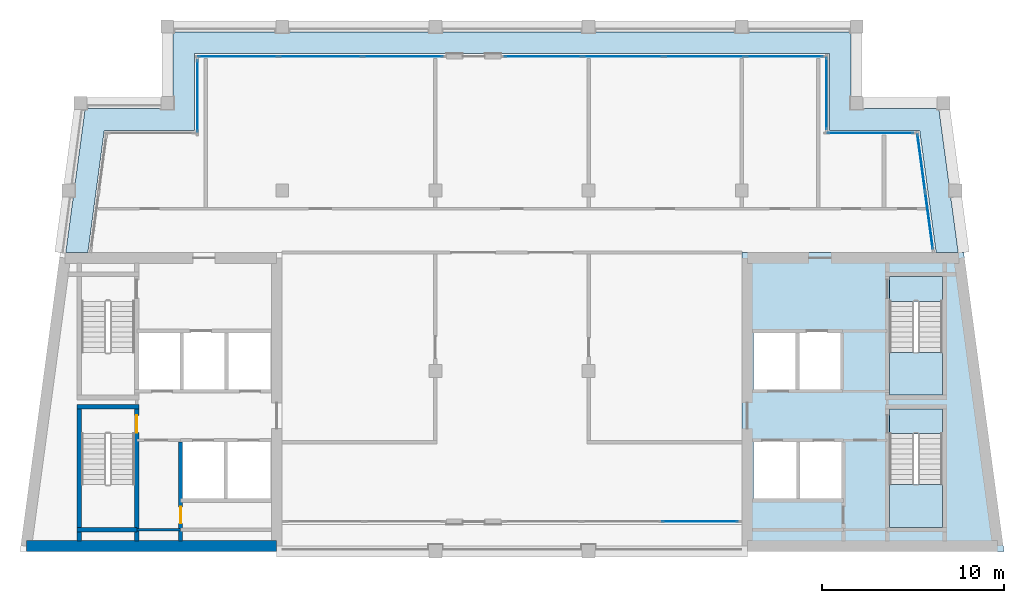
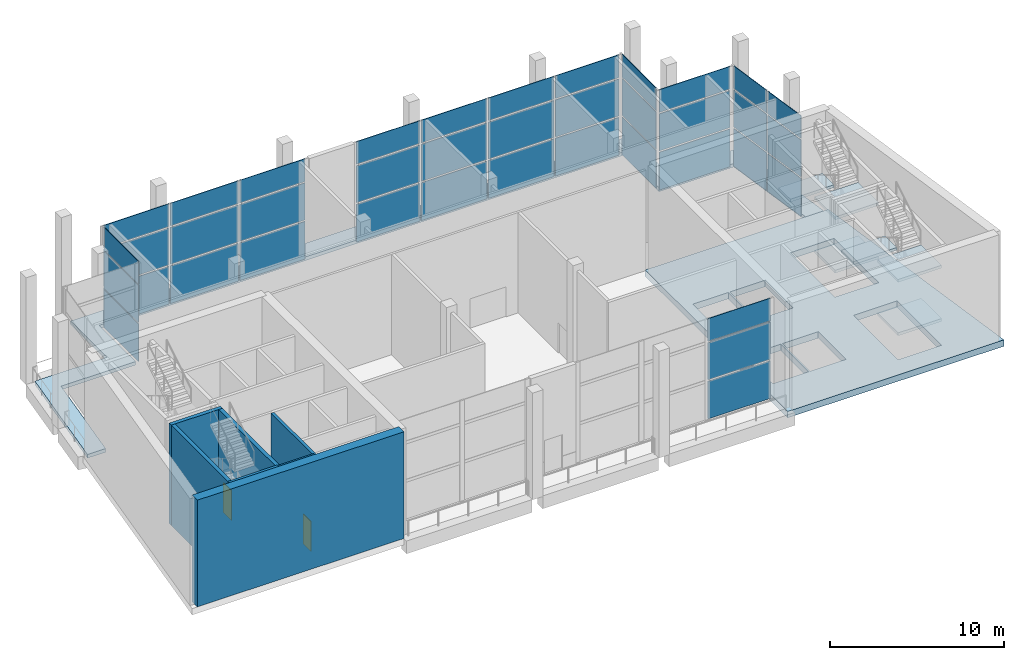
# One storey, part 3 of 9: 39 plates, 8 slabs, 7 walls, 2 doors, 2 openings, 9 elements without a shape of their own.
"""IFC4 building model written with IfcOpenShell, lengths in metres."""

from ifc_helpers import new_model, si_unit, direction, frame, frame_2d, origin, origin_2d, place, context, subcontext, project, spatial, polyline, rectangle, outline, extrude, material, layer, layer_set, type_object, element, fill, aggregate, save


model = new_model("IFC4")

# Units and contexts
model_context = context("Model", 3, precision=1e-05, world=origin(), true_north=direction((0.0, 1.0)))
body_context = subcontext(model_context, "Body", "Model", "MODEL_VIEW")
ifc_project = project(units=[si_unit("LENGTHUNIT", "METRE"), si_unit("AREAUNIT", "SQUARE_METRE"), si_unit("VOLUMEUNIT", "CUBIC_METRE"), si_unit("PLANEANGLEUNIT", "RADIAN"), si_unit("MASSUNIT", "GRAM", prefix="KILO")], contexts=[model_context])

# Site, building, storey
site_placement = place(None, origin())
site = spatial("IfcSite", under=ifc_project, at=site_placement, CompositionType="ELEMENT")
building_placement = place(site_placement, origin())
building = spatial("IfcBuilding", under=site, at=building_placement, Name="Candeia Pilgrim Tower and Theatre", CompositionType="ELEMENT")
storey_placement = place(building_placement, frame((0.0, 0.0, 307.89990234375)))
storey = spatial("IfcBuildingStorey", under=building, at=storey_placement, Name="L75", CompositionType="ELEMENT", Elevation=307.89990234375)

# Curtain wall, plates
ifc_material_1 = material(Name="Aluminium framed observation glazing", Category="aluminium")
curtain_wall_type = type_object("IfcCurtainWallType", Name="CW-C curtain wall", PredefinedType="NOTDEFINED", material=ifc_material_1)
curtain_wall_1_placement = place(storey_placement, origin())
curtain_wall_1 = element("IfcCurtainWall", 1, at=curtain_wall_1_placement, inside=storey, type_object=curtain_wall_type, Name="Curtain wall CW-C L75.102", PredefinedType="NOTDEFINED")
ifc_material_2 = material(Name="Laminated heat-soaked glass 2 x 10 mm", Category="glass")
ifc_layer_1 = layer(ifc_material_2, 0.0400390625)
ifc_layer_set_1 = layer_set([ifc_layer_1], Name="CW-C glass panel 40")
plate_type = type_object("IfcPlateType", Name="CW-C glass panel 40", PredefinedType="CURTAIN_PANEL", material=ifc_layer_set_1)
plate_1_placement = place(storey_placement, frame((123.719970703125, 117.64990234375, 0.000244140625), z_axis=(0.0, 0.0, 1.0), x_axis=(1.0, 0.0, 0.0)))
plate_1 = element("IfcPlate", 2, at=plate_1_placement, type_object=plate_type, Name="CW-C panel 3.1", PredefinedType="CURTAIN_PANEL", context=body_context, shape_type="SweptSolid", body=[
    extrude(rectangle(XDim=4.139892578125, YDim=0.0400390625, at=origin_2d()), origin(), (0.0, 0.0, 1.0), 2.64990234375),
])
plate_2_placement = place(storey_placement, frame((123.719970703125, 117.64990234375, 2.75), z_axis=(0.0, 0.0, 1.0), x_axis=(1.0, 0.0, 0.0)))
plate_2 = element("IfcPlate", 3, at=plate_2_placement, type_object=plate_type, Name="CW-C panel 3.2", PredefinedType="CURTAIN_PANEL", context=body_context, shape_type="SweptSolid", body=[
    extrude(rectangle(XDim=4.139892578125, YDim=0.0400390625, at=origin_2d()), origin(), (0.0, 0.0, 1.0), 2.60009765625),
])
plate_3_placement = place(storey_placement, frame((123.719970703125, 117.64990234375, 5.449951171875), z_axis=(0.0, 0.0, 1.0), x_axis=(1.0, 0.0, 0.0)))
plate_3 = element("IfcPlate", 4, at=plate_3_placement, type_object=plate_type, Name="CW-C panel 3.3", PredefinedType="CURTAIN_PANEL", context=body_context, shape_type="SweptSolid", body=[
    extrude(rectangle(XDim=4.139892578125, YDim=0.0400390625, at=origin_2d()), origin(), (0.0, 0.0, 1.0), 1.60009765625),
])
aggregate(curtain_wall_1, [plate_1, plate_2, plate_3])

curtain_wall_2_placement = place(storey_placement, origin())
curtain_wall_2 = element("IfcCurtainWall", 5, at=curtain_wall_2_placement, inside=storey, type_object=curtain_wall_type, Name="Curtain wall CW-C L75.200", PredefinedType="NOTDEFINED")
plate_4_placement = place(storey_placement, frame((136.268798828125, 134.149169921875, 0.000244140625), z_axis=(0.0, 0.0, 1.0), x_axis=(-0.133412012145, 0.991060661622, 0.0)))
plate_4 = element("IfcPlate", 6, at=plate_4_placement, type_object=plate_type, Name="CW-C panel 1.1", PredefinedType="CURTAIN_PANEL", context=body_context, shape_type="SweptSolid", body=[
    extrude(rectangle(XDim=3.110107421875, YDim=0.0400390625, at=origin_2d()), origin(), (0.0, 0.0, 1.0), 2.64990234375),
])
plate_5_placement = place(storey_placement, frame((136.268798828125, 134.149169921875, 2.75), z_axis=(0.0, 0.0, 1.0), x_axis=(-0.133412012145, 0.991060661622, 0.0)))
plate_5 = element("IfcPlate", 7, at=plate_5_placement, type_object=plate_type, Name="CW-C panel 1.2", PredefinedType="CURTAIN_PANEL", context=body_context, shape_type="SweptSolid", body=[
    extrude(rectangle(XDim=3.110107421875, YDim=0.0400390625, at=origin_2d()), origin(), (0.0, 0.0, 1.0), 2.60009765625),
])
plate_6_placement = place(storey_placement, frame((136.268798828125, 134.149169921875, 5.449951171875), z_axis=(0.0, 0.0, 1.0), x_axis=(-0.133412012145, 0.991060661622, 0.0)))
plate_6 = element("IfcPlate", 8, at=plate_6_placement, type_object=plate_type, Name="CW-C panel 1.3", PredefinedType="CURTAIN_PANEL", context=body_context, shape_type="SweptSolid", body=[
    extrude(rectangle(XDim=3.110107421875, YDim=0.0400390625, at=origin_2d()), origin(), (0.0, 0.0, 1.0), 1.60009765625),
])
plate_7_placement = place(storey_placement, frame((135.840576171875, 137.330810546875, 0.000244140625), z_axis=(0.0, 0.0, 1.0), x_axis=(-0.133412012145, 0.991060661622, 0.0)))
plate_7 = element("IfcPlate", 9, at=plate_7_placement, type_object=plate_type, Name="CW-C panel 2.1", PredefinedType="CURTAIN_PANEL", context=body_context, shape_type="SweptSolid", body=[
    extrude(rectangle(XDim=3.110107421875, YDim=0.0400390625, at=origin_2d()), origin(), (0.0, 0.0, 1.0), 2.64990234375),
])
plate_8_placement = place(storey_placement, frame((135.840576171875, 137.330810546875, 2.75), z_axis=(0.0, 0.0, 1.0), x_axis=(-0.133412012145, 0.991060661622, 0.0)))
plate_8 = element("IfcPlate", 10, at=plate_8_placement, type_object=plate_type, Name="CW-C panel 2.2", PredefinedType="CURTAIN_PANEL", context=body_context, shape_type="SweptSolid", body=[
    extrude(rectangle(XDim=3.110107421875, YDim=0.0400390625, at=origin_2d()), origin(), (0.0, 0.0, 1.0), 2.60009765625),
])
plate_9_placement = place(storey_placement, frame((135.840576171875, 137.330810546875, 5.449951171875), z_axis=(0.0, 0.0, 1.0), x_axis=(-0.133412012145, 0.991060661622, 0.0)))
plate_9 = element("IfcPlate", 11, at=plate_9_placement, type_object=plate_type, Name="CW-C panel 2.3", PredefinedType="CURTAIN_PANEL", context=body_context, shape_type="SweptSolid", body=[
    extrude(rectangle(XDim=3.110107421875, YDim=0.0400390625, at=origin_2d()), origin(), (0.0, 0.0, 1.0), 1.60009765625),
])
aggregate(curtain_wall_2, [plate_4, plate_5, plate_6, plate_7, plate_8, plate_9])

curtain_wall_3_placement = place(storey_placement, origin())
curtain_wall_3 = element("IfcCurtainWall", 12, at=curtain_wall_3_placement, inside=storey, type_object=curtain_wall_type, Name="Curtain wall CW-C L75.300", PredefinedType="NOTDEFINED")
plate_10_placement = place(storey_placement, frame((133.061279296875, 138.949951171875, 0.000244140625), z_axis=(0.0, 0.0, 1.0), x_axis=(-1.0, 0.0, 0.0)))
plate_10 = element("IfcPlate", 13, at=plate_10_placement, type_object=plate_type, Name="CW-C panel 1.1", PredefinedType="CURTAIN_PANEL", context=body_context, shape_type="SweptSolid", body=[
    extrude(rectangle(XDim=4.70263671875, YDim=0.0400390625, at=origin_2d()), origin(), (0.0, 0.0, 1.0), 2.64990234375),
])
plate_11_placement = place(storey_placement, frame((133.061279296875, 138.949951171875, 2.75), z_axis=(0.0, 0.0, 1.0), x_axis=(-1.0, 0.0, 0.0)))
plate_11 = element("IfcPlate", 14, at=plate_11_placement, type_object=plate_type, Name="CW-C panel 1.2", PredefinedType="CURTAIN_PANEL", context=body_context, shape_type="SweptSolid", body=[
    extrude(rectangle(XDim=4.70263671875, YDim=0.0400390625, at=origin_2d()), origin(), (0.0, 0.0, 1.0), 2.60009765625),
])
plate_12_placement = place(storey_placement, frame((133.061279296875, 138.949951171875, 5.449951171875), z_axis=(0.0, 0.0, 1.0), x_axis=(-1.0, 0.0, 0.0)))
plate_12 = element("IfcPlate", 15, at=plate_12_placement, type_object=plate_type, Name="CW-C panel 1.3", PredefinedType="CURTAIN_PANEL", context=body_context, shape_type="SweptSolid", body=[
    extrude(rectangle(XDim=4.70263671875, YDim=0.0400390625, at=origin_2d()), origin(), (0.0, 0.0, 1.0), 1.60009765625),
])
aggregate(curtain_wall_3, [plate_10, plate_11, plate_12])

curtain_wall_4_placement = place(storey_placement, origin())
curtain_wall_4 = element("IfcCurtainWall", 16, at=curtain_wall_4_placement, inside=storey, type_object=curtain_wall_type, Name="Curtain wall CW-C L75.400", PredefinedType="NOTDEFINED")
plate_13_placement = place(storey_placement, frame((130.64990234375, 141.125, 0.000244140625), z_axis=(0.0, 0.0, 1.0), x_axis=(0.0, 1.0, 0.0)))
plate_13 = element("IfcPlate", 17, at=plate_13_placement, type_object=plate_type, Name="CW-C panel 1.1", PredefinedType="CURTAIN_PANEL", context=body_context, shape_type="SweptSolid", body=[
    extrude(rectangle(XDim=3.929931640625, YDim=0.0400390625, at=origin_2d()), origin(), (0.0, 0.0, 1.0), 2.64990234375),
])
plate_14_placement = place(storey_placement, frame((130.64990234375, 141.125, 2.75), z_axis=(0.0, 0.0, 1.0), x_axis=(0.0, 1.0, 0.0)))
plate_14 = element("IfcPlate", 18, at=plate_14_placement, type_object=plate_type, Name="CW-C panel 1.2", PredefinedType="CURTAIN_PANEL", context=body_context, shape_type="SweptSolid", body=[
    extrude(rectangle(XDim=3.929931640625, YDim=0.0400390625, at=origin_2d()), origin(), (0.0, 0.0, 1.0), 2.60009765625),
])
plate_15_placement = place(storey_placement, frame((130.64990234375, 141.125, 5.449951171875), z_axis=(0.0, 0.0, 1.0), x_axis=(0.0, 1.0, 0.0)))
plate_15 = element("IfcPlate", 19, at=plate_15_placement, type_object=plate_type, Name="CW-C panel 1.3", PredefinedType="CURTAIN_PANEL", context=body_context, shape_type="SweptSolid", body=[
    extrude(rectangle(XDim=3.929931640625, YDim=0.0400390625, at=origin_2d()), origin(), (0.0, 0.0, 1.0), 1.60009765625),
])
aggregate(curtain_wall_4, [plate_13, plate_14, plate_15])

curtain_wall_5_placement = place(storey_placement, origin())
curtain_wall_5 = element("IfcCurtainWall", 20, at=curtain_wall_5_placement, inside=storey, type_object=curtain_wall_type, Name="Curtain wall CW-C L75.500", PredefinedType="NOTDEFINED")
plate_16_placement = place(storey_placement, frame((128.3388671875, 143.14990234375, 0.000244140625), z_axis=(0.0, 0.0, 1.0), x_axis=(-1.0, 0.0, 0.0)))
plate_16 = element("IfcPlate", 21, at=plate_16_placement, type_object=plate_type, Name="CW-C panel 1.1", PredefinedType="CURTAIN_PANEL", context=body_context, shape_type="SweptSolid", body=[
    extrude(rectangle(XDim=4.202392578125, YDim=0.0400390625, at=origin_2d()), origin(), (0.0, 0.0, 1.0), 2.64990234375),
])
plate_17_placement = place(storey_placement, frame((128.3388671875, 143.14990234375, 2.75), z_axis=(0.0, 0.0, 1.0), x_axis=(-1.0, 0.0, 0.0)))
plate_17 = element("IfcPlate", 22, at=plate_17_placement, type_object=plate_type, Name="CW-C panel 1.2", PredefinedType="CURTAIN_PANEL", context=body_context, shape_type="SweptSolid", body=[
    extrude(rectangle(XDim=4.202392578125, YDim=0.0400390625, at=origin_2d()), origin(), (0.0, 0.0, 1.0), 2.60009765625),
])
plate_18_placement = place(storey_placement, frame((128.3388671875, 143.14990234375, 5.449951171875), z_axis=(0.0, 0.0, 1.0), x_axis=(-1.0, 0.0, 0.0)))
plate_18 = element("IfcPlate", 23, at=plate_18_placement, type_object=plate_type, Name="CW-C panel 1.3", PredefinedType="CURTAIN_PANEL", context=body_context, shape_type="SweptSolid", body=[
    extrude(rectangle(XDim=4.202392578125, YDim=0.0400390625, at=origin_2d()), origin(), (0.0, 0.0, 1.0), 1.60009765625),
])
plate_19_placement = place(storey_placement, frame((123.956298828125, 143.14990234375, 0.000244140625), z_axis=(0.0, 0.0, 1.0), x_axis=(-1.0, 0.0, 0.0)))
plate_19 = element("IfcPlate", 24, at=plate_19_placement, type_object=plate_type, Name="CW-C panel 2.1", PredefinedType="CURTAIN_PANEL", context=body_context, shape_type="SweptSolid", body=[
    extrude(rectangle(XDim=4.362548828125, YDim=0.0400390625, at=origin_2d()), origin(), (0.0, 0.0, 1.0), 2.64990234375),
])
plate_20_placement = place(storey_placement, frame((123.956298828125, 143.14990234375, 2.75), z_axis=(0.0, 0.0, 1.0), x_axis=(-1.0, 0.0, 0.0)))
plate_20 = element("IfcPlate", 25, at=plate_20_placement, type_object=plate_type, Name="CW-C panel 2.2", PredefinedType="CURTAIN_PANEL", context=body_context, shape_type="SweptSolid", body=[
    extrude(rectangle(XDim=4.362548828125, YDim=0.0400390625, at=origin_2d()), origin(), (0.0, 0.0, 1.0), 2.60009765625),
])
plate_21_placement = place(storey_placement, frame((123.956298828125, 143.14990234375, 5.449951171875), z_axis=(0.0, 0.0, 1.0), x_axis=(-1.0, 0.0, 0.0)))
plate_21 = element("IfcPlate", 26, at=plate_21_placement, type_object=plate_type, Name="CW-C panel 2.3", PredefinedType="CURTAIN_PANEL", context=body_context, shape_type="SweptSolid", body=[
    extrude(rectangle(XDim=4.362548828125, YDim=0.0400390625, at=origin_2d()), origin(), (0.0, 0.0, 1.0), 1.60009765625),
])
plate_22_placement = place(storey_placement, frame((119.49365234375, 143.14990234375, 0.000244140625), z_axis=(0.0, 0.0, 1.0), x_axis=(-1.0, 0.0, 0.0)))
plate_22 = element("IfcPlate", 27, at=plate_22_placement, type_object=plate_type, Name="CW-C panel 3.1", PredefinedType="CURTAIN_PANEL", context=body_context, shape_type="SweptSolid", body=[
    extrude(rectangle(XDim=4.362548828125, YDim=0.0400390625, at=origin_2d()), origin(), (0.0, 0.0, 1.0), 2.64990234375),
])
plate_23_placement = place(storey_placement, frame((119.49365234375, 143.14990234375, 2.75), z_axis=(0.0, 0.0, 1.0), x_axis=(-1.0, 0.0, 0.0)))
plate_23 = element("IfcPlate", 28, at=plate_23_placement, type_object=plate_type, Name="CW-C panel 3.2", PredefinedType="CURTAIN_PANEL", context=body_context, shape_type="SweptSolid", body=[
    extrude(rectangle(XDim=4.362548828125, YDim=0.0400390625, at=origin_2d()), origin(), (0.0, 0.0, 1.0), 2.60009765625),
])
plate_24_placement = place(storey_placement, frame((119.49365234375, 143.14990234375, 5.449951171875), z_axis=(0.0, 0.0, 1.0), x_axis=(-1.0, 0.0, 0.0)))
plate_24 = element("IfcPlate", 29, at=plate_24_placement, type_object=plate_type, Name="CW-C panel 3.3", PredefinedType="CURTAIN_PANEL", context=body_context, shape_type="SweptSolid", body=[
    extrude(rectangle(XDim=4.362548828125, YDim=0.0400390625, at=origin_2d()), origin(), (0.0, 0.0, 1.0), 1.60009765625),
])
plate_25_placement = place(storey_placement, frame((115.111328125, 143.14990234375, 0.000244140625), z_axis=(0.0, 0.0, 1.0), x_axis=(-1.0, 0.0, 0.0)))
plate_25 = element("IfcPlate", 30, at=plate_25_placement, type_object=plate_type, Name="CW-C panel 4.1", PredefinedType="CURTAIN_PANEL", context=body_context, shape_type="SweptSolid", body=[
    extrude(rectangle(XDim=4.202392578125, YDim=0.0400390625, at=origin_2d()), origin(), (0.0, 0.0, 1.0), 2.64990234375),
])
plate_26_placement = place(storey_placement, frame((115.111328125, 143.14990234375, 2.75), z_axis=(0.0, 0.0, 1.0), x_axis=(-1.0, 0.0, 0.0)))
plate_26 = element("IfcPlate", 31, at=plate_26_placement, type_object=plate_type, Name="CW-C panel 4.2", PredefinedType="CURTAIN_PANEL", context=body_context, shape_type="SweptSolid", body=[
    extrude(rectangle(XDim=4.202392578125, YDim=0.0400390625, at=origin_2d()), origin(), (0.0, 0.0, 1.0), 2.60009765625),
])
plate_27_placement = place(storey_placement, frame((115.111328125, 143.14990234375, 5.449951171875), z_axis=(0.0, 0.0, 1.0), x_axis=(-1.0, 0.0, 0.0)))
plate_27 = element("IfcPlate", 32, at=plate_27_placement, type_object=plate_type, Name="CW-C panel 4.3", PredefinedType="CURTAIN_PANEL", context=body_context, shape_type="SweptSolid", body=[
    extrude(rectangle(XDim=4.202392578125, YDim=0.0400390625, at=origin_2d()), origin(), (0.0, 0.0, 1.0), 1.60009765625),
])
aggregate(curtain_wall_5, [plate_16, plate_17, plate_18, plate_19, plate_20, plate_21, plate_22, plate_23, plate_24, plate_25, plate_26, plate_27])

curtain_wall_6_placement = place(storey_placement, origin())
curtain_wall_6 = element("IfcCurtainWall", 33, at=curtain_wall_6_placement, inside=storey, type_object=curtain_wall_type, Name="Curtain wall CW-C L75.502", PredefinedType="NOTDEFINED")
plate_28_placement = place(storey_placement, frame((107.419921875, 143.14990234375, 0.000244140625), z_axis=(0.0, 0.0, 1.0), x_axis=(-1.0, 0.0, 0.0)))
plate_28 = element("IfcPlate", 34, at=plate_28_placement, type_object=plate_type, Name="CW-C panel 1.1", PredefinedType="CURTAIN_PANEL", context=body_context, shape_type="SweptSolid", body=[
    extrude(rectangle(XDim=4.340087890625, YDim=0.0400390625, at=origin_2d()), origin(), (0.0, 0.0, 1.0), 2.64990234375),
])
plate_29_placement = place(storey_placement, frame((107.419921875, 143.14990234375, 2.75), z_axis=(0.0, 0.0, 1.0), x_axis=(-1.0, 0.0, 0.0)))
plate_29 = element("IfcPlate", 35, at=plate_29_placement, type_object=plate_type, Name="CW-C panel 1.2", PredefinedType="CURTAIN_PANEL", context=body_context, shape_type="SweptSolid", body=[
    extrude(rectangle(XDim=4.340087890625, YDim=0.0400390625, at=origin_2d()), origin(), (0.0, 0.0, 1.0), 2.60009765625),
])
plate_30_placement = place(storey_placement, frame((107.419921875, 143.14990234375, 5.449951171875), z_axis=(0.0, 0.0, 1.0), x_axis=(-1.0, 0.0, 0.0)))
plate_30 = element("IfcPlate", 36, at=plate_30_placement, type_object=plate_type, Name="CW-C panel 1.3", PredefinedType="CURTAIN_PANEL", context=body_context, shape_type="SweptSolid", body=[
    extrude(rectangle(XDim=4.340087890625, YDim=0.0400390625, at=origin_2d()), origin(), (0.0, 0.0, 1.0), 1.60009765625),
])
plate_31_placement = place(storey_placement, frame((102.89990234375, 143.14990234375, 0.000244140625), z_axis=(0.0, 0.0, 1.0), x_axis=(-1.0, 0.0, 0.0)))
plate_31 = element("IfcPlate", 37, at=plate_31_placement, type_object=plate_type, Name="CW-C panel 2.1", PredefinedType="CURTAIN_PANEL", context=body_context, shape_type="SweptSolid", body=[
    extrude(rectangle(XDim=4.5, YDim=0.0400390625, at=origin_2d()), origin(), (0.0, 0.0, 1.0), 2.64990234375),
])
plate_32_placement = place(storey_placement, frame((102.89990234375, 143.14990234375, 2.75), z_axis=(0.0, 0.0, 1.0), x_axis=(-1.0, 0.0, 0.0)))
plate_32 = element("IfcPlate", 38, at=plate_32_placement, type_object=plate_type, Name="CW-C panel 2.2", PredefinedType="CURTAIN_PANEL", context=body_context, shape_type="SweptSolid", body=[
    extrude(rectangle(XDim=4.5, YDim=0.0400390625, at=origin_2d()), origin(), (0.0, 0.0, 1.0), 2.60009765625),
])
plate_33_placement = place(storey_placement, frame((102.89990234375, 143.14990234375, 5.449951171875), z_axis=(0.0, 0.0, 1.0), x_axis=(-1.0, 0.0, 0.0)))
plate_33 = element("IfcPlate", 39, at=plate_33_placement, type_object=plate_type, Name="CW-C panel 2.3", PredefinedType="CURTAIN_PANEL", context=body_context, shape_type="SweptSolid", body=[
    extrude(rectangle(XDim=4.5, YDim=0.0400390625, at=origin_2d()), origin(), (0.0, 0.0, 1.0), 1.60009765625),
])
plate_34_placement = place(storey_placement, frame((98.3798828125, 143.14990234375, 0.000244140625), z_axis=(0.0, 0.0, 1.0), x_axis=(-1.0, 0.0, 0.0)))
plate_34 = element("IfcPlate", 40, at=plate_34_placement, type_object=plate_type, Name="CW-C panel 3.1", PredefinedType="CURTAIN_PANEL", context=body_context, shape_type="SweptSolid", body=[
    extrude(rectangle(XDim=4.340087890625, YDim=0.0400390625, at=origin_2d()), origin(), (0.0, 0.0, 1.0), 2.64990234375),
])
plate_35_placement = place(storey_placement, frame((98.3798828125, 143.14990234375, 2.75), z_axis=(0.0, 0.0, 1.0), x_axis=(-1.0, 0.0, 0.0)))
plate_35 = element("IfcPlate", 41, at=plate_35_placement, type_object=plate_type, Name="CW-C panel 3.2", PredefinedType="CURTAIN_PANEL", context=body_context, shape_type="SweptSolid", body=[
    extrude(rectangle(XDim=4.340087890625, YDim=0.0400390625, at=origin_2d()), origin(), (0.0, 0.0, 1.0), 2.60009765625),
])
plate_36_placement = place(storey_placement, frame((98.3798828125, 143.14990234375, 5.449951171875), z_axis=(0.0, 0.0, 1.0), x_axis=(-1.0, 0.0, 0.0)))
plate_36 = element("IfcPlate", 42, at=plate_36_placement, type_object=plate_type, Name="CW-C panel 3.3", PredefinedType="CURTAIN_PANEL", context=body_context, shape_type="SweptSolid", body=[
    extrude(rectangle(XDim=4.340087890625, YDim=0.0400390625, at=origin_2d()), origin(), (0.0, 0.0, 1.0), 1.60009765625),
])
aggregate(curtain_wall_6, [plate_28, plate_29, plate_30, plate_31, plate_32, plate_33, plate_34, plate_35, plate_36])

curtain_wall_7_placement = place(storey_placement, origin())
curtain_wall_7 = element("IfcCurtainWall", 43, at=curtain_wall_7_placement, inside=storey, type_object=curtain_wall_type, Name="Curtain wall CW-C L75.600", PredefinedType="NOTDEFINED")
plate_37_placement = place(storey_placement, frame((96.14990234375, 140.97509765625, 0.000244140625), z_axis=(0.0, 0.0, 1.0), x_axis=(0.0, -1.0, 0.0)))
plate_37 = element("IfcPlate", 44, at=plate_37_placement, type_object=plate_type, Name="CW-C panel 1.1", PredefinedType="CURTAIN_PANEL", context=body_context, shape_type="SweptSolid", body=[
    extrude(rectangle(XDim=3.929931640625, YDim=0.0400390625, at=origin_2d()), origin(), (0.0, 0.0, 1.0), 2.64990234375),
])
plate_38_placement = place(storey_placement, frame((96.14990234375, 140.97509765625, 2.75), z_axis=(0.0, 0.0, 1.0), x_axis=(0.0, -1.0, 0.0)))
plate_38 = element("IfcPlate", 45, at=plate_38_placement, type_object=plate_type, Name="CW-C panel 1.2", PredefinedType="CURTAIN_PANEL", context=body_context, shape_type="SweptSolid", body=[
    extrude(rectangle(XDim=3.929931640625, YDim=0.0400390625, at=origin_2d()), origin(), (0.0, 0.0, 1.0), 2.60009765625),
])
plate_39_placement = place(storey_placement, frame((96.14990234375, 140.97509765625, 5.449951171875), z_axis=(0.0, 0.0, 1.0), x_axis=(0.0, -1.0, 0.0)))
plate_39 = element("IfcPlate", 46, at=plate_39_placement, type_object=plate_type, Name="CW-C panel 1.3", PredefinedType="CURTAIN_PANEL", context=body_context, shape_type="SweptSolid", body=[
    extrude(rectangle(XDim=3.929931640625, YDim=0.0400390625, at=origin_2d()), origin(), (0.0, 0.0, 1.0), 1.60009765625),
])
aggregate(curtain_wall_7, [plate_37, plate_38, plate_39])

# Slabs
ifc_material_3 = material(Name="Concrete C60/75", Category="concrete")
ifc_layer_2 = layer(ifc_material_3, 0.449951171875)
ifc_layer_set_2 = layer_set([ifc_layer_2], Name="FS-CORE 450 core floor")
slab_type_1 = type_object("IfcSlabType", Name="FS-CORE 450 core floor", PredefinedType="FLOOR", material=ifc_layer_set_2)
slab_1_placement = place(storey_placement, frame((0.0, 0.0, -0.449951171875)))
element("IfcSlab", 47, at=slab_1_placement, inside=storey, type_object=slab_type_1, Name="Core floor E L75", PredefinedType="FLOOR", context=body_context, shape_type="SweptSolid", body=[
    extrude(outline(polyline([(138.169189453125, 132.39990234375), (140.376953125, 116.0), (126.0, 116.0), (126.0, 132.39990234375), (138.169189453125, 132.39990234375)]), holes=[polyline([(134.097900390625, 117.324951171875), (136.998046875, 117.324951171875), (136.998046875, 122.455078125), (134.097900390625, 122.455078125), (134.097900390625, 117.324951171875)]), polyline([(134.097900390625, 129.705078125), (134.097900390625, 124.574951171875), (136.998046875, 124.574951171875), (136.998046875, 129.705078125), (134.097900390625, 129.705078125)]), polyline([(131.52294921875, 122.050048828125), (129.136474609375, 122.050048828125), (129.136474609375, 118.85009765625), (131.52294921875, 118.85009765625), (131.52294921875, 122.050048828125)]), polyline([(131.46533203125, 128.050048828125), (129.107666015625, 128.050048828125), (129.107666015625, 124.85009765625), (131.46533203125, 124.85009765625), (131.46533203125, 128.050048828125)]), polyline([(129.03662109375, 122.050048828125), (126.64990234375, 122.050048828125), (126.64990234375, 118.85009765625), (129.03662109375, 118.85009765625), (129.03662109375, 122.050048828125)]), polyline([(126.64990234375, 128.050048828125), (126.64990234375, 124.85009765625), (129.0078125, 124.85009765625), (129.0078125, 128.050048828125), (126.64990234375, 128.050048828125)])]), origin(), (0.0, 0.0, 1.0), 0.449951171875),
])
ifc_material_4 = material(Name="Concrete C40/50", Category="concrete")
ifc_layer_3 = layer(ifc_material_4, 0.25)
ifc_layer_set_3 = layer_set([ifc_layer_3], Name="Loggia slab 250 C40/50")
slab_type_2 = type_object("IfcSlabType", Name="Loggia slab 250 C40/50", PredefinedType="FLOOR", material=ifc_layer_set_3)
slab_2_placement = place(storey_placement, frame((0.0, 0.0, -0.25)))
element("IfcSlab", 48, at=slab_2_placement, inside=storey, type_object=slab_type_2, Name="Loggia slab L75 2", PredefinedType="FLOOR", context=body_context, shape_type="SweptSolid", body=[
    extrude(outline(polyline([(136.65576171875, 132.39990234375), (135.753662109375, 139.10009765625), (130.800048828125, 139.10009765625), (130.800048828125, 143.300048828125), (96.0, 143.300048828125), (96.0, 139.10009765625), (91.046142578125, 139.10009765625), (90.144287109375, 132.39990234375), (88.93359375, 132.39990234375), (89.996826171875, 140.300048828125), (94.800048828125, 140.300048828125), (94.800048828125, 144.5), (132.0, 144.5), (132.0, 140.300048828125), (136.802978515625, 140.300048828125), (137.866455078125, 132.39990234375), (136.65576171875, 132.39990234375)])), origin(), (0.0, 0.0, 1.0), 0.25),
])

# Stair, slabs
stair_type = type_object("IfcStairType", Name="ST-TWR dog-leg escape stair", PredefinedType="HALF_TURN_STAIR", material=ifc_material_4)
stair_1_placement = place(storey_placement, origin())
stair_1 = element("IfcStair", 49, at=stair_1_placement, inside=storey, type_object=stair_type, Name="L75 Escape stair ST3", PredefinedType="HALF_TURN_STAIR")
ifc_layer_4 = layer(ifc_material_4, 0.199951171875)
ifc_layer_set_4 = layer_set([ifc_layer_4], Name="SL-LANDING stair landing")
slab_type_3 = type_object("IfcSlabType", Name="SL-LANDING stair landing", PredefinedType="LANDING", material=ifc_layer_set_4)
slab_3_placement = place(storey_placement, frame((0.0, 0.0, 1.675048828125)))
slab_3 = element("IfcSlab", 50, at=slab_3_placement, type_object=slab_type_3, Name="ST3 landing 1", PredefinedType="LANDING", context=body_context, shape_type="SweptSolid", body=[
    extrude(outline(polyline([(134.097900390625, 119.675048828125), (134.097900390625, 117.324951171875), (136.998046875, 117.324951171875), (136.998046875, 119.675048828125), (134.097900390625, 119.675048828125)])), origin(), (0.0, 0.0, 1.0), 0.199951171875),
])
slab_4_placement = place(storey_placement, frame((0.0, 0.0, 3.550048828125)))
slab_4 = element("IfcSlab", 51, at=slab_4_placement, type_object=slab_type_3, Name="ST3 landing 2", PredefinedType="LANDING", context=body_context, shape_type="SweptSolid", body=[
    extrude(outline(polyline([(134.097900390625, 123.824951171875), (134.097900390625, 122.47509765625), (136.998046875, 122.47509765625), (136.998046875, 123.824951171875), (134.097900390625, 123.824951171875)])), origin(), (0.0, 0.0, 1.0), 0.199951171875),
])
slab_5_placement = place(storey_placement, frame((0.0, 0.0, 5.425048828125)))
slab_5 = element("IfcSlab", 52, at=slab_5_placement, type_object=slab_type_3, Name="ST3 landing 3", PredefinedType="LANDING", context=body_context, shape_type="SweptSolid", body=[
    extrude(outline(polyline([(134.097900390625, 119.675048828125), (134.097900390625, 117.324951171875), (136.998046875, 117.324951171875), (136.998046875, 119.675048828125), (134.097900390625, 119.675048828125)])), origin(), (0.0, 0.0, 1.0), 0.199951171875),
])
aggregate(stair_1, [slab_3, slab_4, slab_5])

stair_2_placement = place(storey_placement, origin())
stair_2 = element("IfcStair", 53, at=stair_2_placement, inside=storey, type_object=stair_type, Name="L75 Escape stair ST4", PredefinedType="HALF_TURN_STAIR")
slab_6_placement = place(storey_placement, frame((0.0, 0.0, 1.675048828125)))
slab_6 = element("IfcSlab", 54, at=slab_6_placement, type_object=slab_type_3, Name="ST4 landing 1", PredefinedType="LANDING", context=body_context, shape_type="SweptSolid", body=[
    extrude(outline(polyline([(134.097900390625, 126.925048828125), (134.097900390625, 124.574951171875), (136.998046875, 124.574951171875), (136.998046875, 126.925048828125), (134.097900390625, 126.925048828125)])), origin(), (0.0, 0.0, 1.0), 0.199951171875),
])
slab_7_placement = place(storey_placement, frame((0.0, 0.0, 3.550048828125)))
slab_7 = element("IfcSlab", 55, at=slab_7_placement, type_object=slab_type_3, Name="ST4 landing 2", PredefinedType="LANDING", context=body_context, shape_type="SweptSolid", body=[
    extrude(outline(polyline([(134.097900390625, 131.074951171875), (134.097900390625, 129.72509765625), (136.998046875, 129.72509765625), (136.998046875, 131.074951171875), (134.097900390625, 131.074951171875)])), origin(), (0.0, 0.0, 1.0), 0.199951171875),
])
slab_8_placement = place(storey_placement, frame((0.0, 0.0, 5.425048828125)))
slab_8 = element("IfcSlab", 56, at=slab_8_placement, type_object=slab_type_3, Name="ST4 landing 3", PredefinedType="LANDING", context=body_context, shape_type="SweptSolid", body=[
    extrude(outline(polyline([(134.097900390625, 126.925048828125), (134.097900390625, 124.574951171875), (136.998046875, 124.574951171875), (136.998046875, 126.925048828125), (134.097900390625, 126.925048828125)])), origin(), (0.0, 0.0, 1.0), 0.199951171875),
])
aggregate(stair_2, [slab_6, slab_7, slab_8])

# Walls
ifc_layer_5 = layer(ifc_material_4, 0.60009765625)
ifc_layer_set_5 = layer_set([ifc_layer_5], Name="Core wall 600 C40/50")
wall_type_1 = type_object("IfcWallType", Name="Core wall 600 C40/50", PredefinedType="SHEAR", material=ifc_layer_set_5)
wall_1_placement = place(storey_placement, frame((100.5, 116.300048828125, 0.0), z_axis=(0.0, 0.0, 1.0), x_axis=(-1.0, 0.0, 0.0)))
element("IfcWall", 57, at=wall_1_placement, inside=storey, type_object=wall_type_1, Name="Core wall W3", PredefinedType="SHEAR", context=body_context, shape_type="SweptSolid", body=[
    extrude(rectangle(XDim=13.73388671875, YDim=0.60009765625, at=frame_2d((6.866943359375, 0.0))), origin(), (0.0, 0.0, 1.0), 7.5),
])
ifc_material_5 = material(Name="Gypsum board partition on steel studs", Category="steel")
ifc_layer_6 = layer(ifc_material_5, 0.14990234375)
ifc_layer_set_6 = layer_set([ifc_layer_6], Name="PW-150 lobby wall")
wall_type_2 = type_object("IfcWallType", Name="PW-150 lobby wall", PredefinedType="PARTITIONING", material=ifc_layer_set_6)
wall_2_placement = place(storey_placement, frame((92.826904296875, 117.199951171875, 0.0), z_axis=(0.0, 0.0, 1.0), x_axis=(1.0, 0.0, 0.0)))
element("IfcWall", 58, at=wall_2_placement, inside=storey, type_object=wall_type_2, Name="Lobby wall L75-003", PredefinedType="PARTITIONING", context=body_context, shape_type="SweptSolid", body=[
    extrude(rectangle(XDim=2.400146484375, YDim=0.14990234375, at=frame_2d((1.2001953125, 0.0))), origin(), (0.0, 0.0, 1.0), 7.050048828125),
])

# Wall, opening, door
ifc_layer_7 = layer(ifc_material_4, 0.199951171875)
ifc_layer_set_7 = layer_set([ifc_layer_7], Name="SW-200 shaft wall")
wall_type_3 = type_object("IfcWallType", Name="SW-200 shaft wall", PredefinedType="PARTITIONING", material=ifc_layer_set_7)
wall_3_placement = place(storey_placement, frame((95.22705078125, 116.570068359375, 0.0), z_axis=(0.0, 0.0, 1.0), x_axis=(0.0, 1.0, 0.0)))
wall_3 = element("IfcWall", 59, at=wall_3_placement, inside=storey, type_object=wall_type_3, Name="Shaft wall L75-034", PredefinedType="PARTITIONING", context=body_context, shape_type="SweptSolid", body=[
    extrude(rectangle(XDim=5.429931640625, YDim=0.199951171875, at=frame_2d((2.71484375, 0.0))), origin(), (0.0, 0.0, 1.0), 7.050048828125),
])
opening_1_placement = place(wall_3_placement, frame((0.97998046875, 0.0, 0.0)))
opening_1 = element("IfcOpeningElement", 60, at=opening_1_placement, cuts=wall_3, Name="Opening L75-D015", PredefinedType="OPENING", context=body_context, shape_type="SweptSolid", body=[
    extrude(rectangle(XDim=0.89990234375, YDim=2.10009765625, at=frame_2d((0.449951171875, 1.050048828125))), frame((0.0, 0.10986328125, 0.0), z_axis=(0.0, -1.0, 0.0), x_axis=(1.0, 0.0, 0.0)), (0.0, 0.0, 1.0), 0.219970703125),
])
ifc_material_6 = material(Name="Steel fire door set", Category="steel")
door_type_1 = type_object("IfcDoorType", Name="D-900-FD60", OperationType="NOTDEFINED", PredefinedType="DOOR", material=ifc_material_6)
door_1_placement = place(opening_1_placement, origin())
door_1 = element("IfcDoor", 61, at=door_1_placement, inside=storey, type_object=door_type_1, Name="Door L75-D015", OperationType="SINGLE_SWING_LEFT", OverallHeight=2.10009765625, OverallWidth=0.89990234375, PredefinedType="DOOR", context=body_context, shape_type="SweptSolid", body=[
    extrude(rectangle(XDim=0.89990234375, YDim=2.10009765625, at=frame_2d((0.449951171875, 1.050048828125))), frame((0.0, 0.02490234375, 0.0), z_axis=(0.0, -1.0, 0.0), x_axis=(1.0, 0.0, 0.0)), (0.0, 0.0, 1.0), 0.050048828125),
])
fill(opening_1, door_1)

# Walls
ifc_layer_8 = layer(ifc_material_4, 0.25)
ifc_layer_set_8 = layer_set([ifc_layer_8], Name="SW-250 stair wall")
wall_type_4 = type_object("IfcWallType", Name="SW-250 stair wall", PredefinedType="PARTITIONING", material=ifc_layer_set_8)
wall_4_placement = place(storey_placement, frame((89.552001953125, 117.199951171875, 0.0), z_axis=(0.0, 0.0, 1.0), x_axis=(1.0, 0.0, 0.0)))
element("IfcWall", 62, at=wall_4_placement, inside=storey, type_object=wall_type_4, Name="Stair wall L75-005", PredefinedType="PARTITIONING", context=body_context, shape_type="SweptSolid", body=[
    extrude(rectangle(XDim=3.27490234375, YDim=0.25, at=frame_2d((1.637451171875, 0.0))), origin(), (0.0, 0.0, 1.0), 7.050048828125),
])
wall_5_placement = place(storey_placement, frame((89.552001953125, 123.949951171875, 0.0), z_axis=(0.0, 0.0, 1.0), x_axis=(1.0, 0.0, 0.0)))
element("IfcWall", 63, at=wall_5_placement, inside=storey, type_object=wall_type_4, Name="Stair wall L75-015", PredefinedType="PARTITIONING", context=body_context, shape_type="SweptSolid", body=[
    extrude(rectangle(XDim=3.39990234375, YDim=0.25, at=frame_2d((1.699951171875, 0.0))), origin(), (0.0, 0.0, 1.0), 7.050048828125),
])
wall_6_placement = place(storey_placement, frame((89.677001953125, 116.570068359375, 0.0), z_axis=(0.0, 0.0, 1.0), x_axis=(0.0, 1.0, 0.0)))
element("IfcWall", 64, at=wall_6_placement, inside=storey, type_object=wall_type_4, Name="Stair wall L75-029", PredefinedType="PARTITIONING", context=body_context, shape_type="SweptSolid", body=[
    extrude(rectangle(XDim=7.2548828125, YDim=0.25, at=frame_2d((3.62744140625, 0.0))), origin(), (0.0, 0.0, 1.0), 7.050048828125),
])

# Wall, opening, door
wall_7_placement = place(storey_placement, frame((92.826904296875, 116.570068359375, 0.0), z_axis=(0.0, 0.0, 1.0), x_axis=(0.0, 1.0, 0.0)))
wall_7 = element("IfcWall", 65, at=wall_7_placement, inside=storey, type_object=wall_type_4, Name="Stair wall L75-032", PredefinedType="PARTITIONING", context=body_context, shape_type="SweptSolid", body=[
    extrude(rectangle(XDim=7.2548828125, YDim=0.25, at=frame_2d((3.62744140625, 0.0))), origin(), (0.0, 0.0, 1.0), 7.050048828125),
])
opening_2_placement = place(wall_7_placement, frame((5.955078125, 0.0, 0.0)))
opening_2 = element("IfcOpeningElement", 66, at=opening_2_placement, cuts=wall_7, Name="Opening L75-D013", PredefinedType="OPENING", context=body_context, shape_type="SweptSolid", body=[
    extrude(rectangle(XDim=0.949951171875, YDim=2.10009765625, at=frame_2d((0.47509765625, 1.050048828125))), frame((0.0, 0.135009765625, 0.0), z_axis=(0.0, -1.0, 0.0), x_axis=(1.0, 0.0, 0.0)), (0.0, 0.0, 1.0), 0.27001953125),
])
door_type_2 = type_object("IfcDoorType", Name="D-950-FD60", OperationType="NOTDEFINED", PredefinedType="DOOR", material=ifc_material_6)
door_2_placement = place(opening_2_placement, origin())
door_2 = element("IfcDoor", 67, at=door_2_placement, inside=storey, type_object=door_type_2, Name="Door L75-D013", OperationType="SINGLE_SWING_LEFT", OverallHeight=2.10009765625, OverallWidth=0.949951171875, PredefinedType="DOOR", context=body_context, shape_type="SweptSolid", body=[
    extrude(rectangle(XDim=0.949951171875, YDim=2.10009765625, at=frame_2d((0.47509765625, 1.050048828125))), frame((0.0, 0.02490234375, 0.0), z_axis=(0.0, -1.0, 0.0), x_axis=(1.0, 0.0, 0.0)), (0.0, 0.0, 1.0), 0.050048828125),
])
fill(opening_2, door_2)

save(model, "model.ifc")
